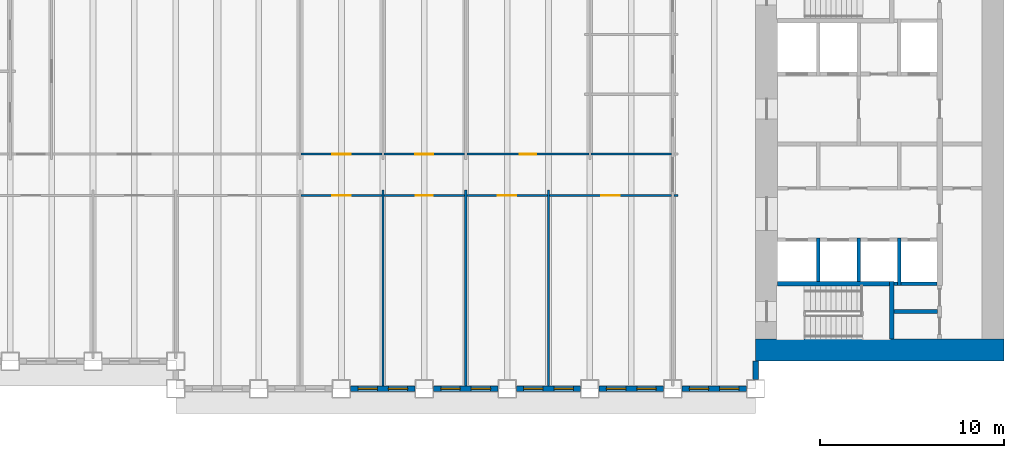
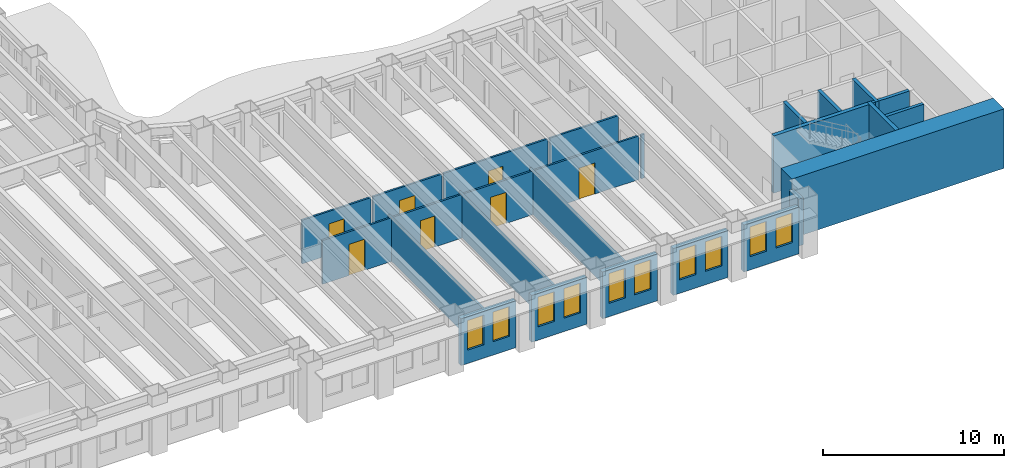
# One storey, part 5 of 16: 27 walls, 10 windows, 7 doors, 17 openings.
"""IFC4 building model written with IfcOpenShell, lengths in metres."""

import ifcopenshell
import ifcopenshell.guid

model = None  # the IFC model being written
_history = None  # IfcOwnerHistory: only IFC2X3 demands one
_inside = {}  # id of a spatial element -> (the spatial element, [elements in it])
_under = {}  # id of a project, library or spatial element -> (it, [spatial elements below it])
_declared = {}  # id of a project -> (the project, [libraries it declares])
_typed = {}  # id of a type object -> (the type object, [elements of that type])
_made_of = {}  # id of a material, layer set ... -> (it, [elements and type objects made of it])


def new_model(schema):
    """Start an empty IFC model of exactly this schema.

    Asked for "IFC4X3", IfcOpenShell would pick the latest addendum, in which some entities
    have other attributes; the version numbers below select the first issue.
    IFC2X3 requires an IfcOwnerHistory on every rooted entity: one is made here for all.
    """
    global model, _history
    if schema == "IFC4X3":
        model = ifcopenshell.file(schema_version=(4, 3, 0, 0))
    else:
        model = ifcopenshell.file(schema=schema)
    _inside.clear()
    _under.clear()
    _declared.clear()
    _typed.clear()
    _made_of.clear()
    _history = None
    if model.schema == "IFC2X3":
        org = make("IfcOrganization", Name="unknown")
        user = make(
            "IfcPersonAndOrganization",
            ThePerson=make("IfcPerson", FamilyName="unknown"),
            TheOrganization=org,
        )
        app = make(
            "IfcApplication",
            ApplicationDeveloper=org,
            Version="unknown",
            ApplicationFullName="unknown",
            ApplicationIdentifier="unknown",
        )
        _history = make(
            "IfcOwnerHistory",
            OwningUser=user,
            OwningApplication=app,
            ChangeAction="ADDED",
            CreationDate=0,
        )
    return model


def make(cls, **values):
    """One entity of the class cls with the attributes given. An attribute that is None is left unset."""
    return model.create_entity(
        cls, **{name: value for name, value in values.items() if value is not None}
    )


def rooted(cls, **values):
    """An entity with a GlobalId (a new one), such as an element, a storey or a relation."""
    return make(cls, GlobalId=ifcopenshell.guid.new(), OwnerHistory=_history, **values)


def si_unit(unit_type, name, prefix=None):
    """IfcSIUnit, for example si_unit("LENGTHUNIT", "METRE", prefix="MILLI")."""
    return make("IfcSIUnit", UnitType=unit_type, Prefix=prefix, Name=name)


def assignment(units):
    """IfcUnitAssignment: the units of a project."""
    return None if units is None else make("IfcUnitAssignment", Units=units)


def point(xyz):
    """IfcCartesianPoint."""
    return None if xyz is None else make("IfcCartesianPoint", Coordinates=xyz)


def direction(xyz):
    """IfcDirection."""
    return None if xyz is None else make("IfcDirection", DirectionRatios=xyz)


def frame(location, z_axis=None, x_axis=None):
    """IfcAxis2Placement3D, a coordinate frame: its origin and axes. An axis left out is left unset."""
    return make(
        "IfcAxis2Placement3D",
        Location=point(location),
        Axis=direction(z_axis),
        RefDirection=direction(x_axis),
    )


def frame_2d(location, x_axis=None):
    """IfcAxis2Placement2D, a coordinate frame in the plane: its origin and x axis."""
    return make(
        "IfcAxis2Placement2D", Location=point(location), RefDirection=direction(x_axis)
    )


def origin():
    """The frame at (0, 0, 0) with its axes left unset."""
    return frame((0.0, 0.0, 0.0))


def place(relative_to, where):
    """IfcLocalPlacement: puts the frame where relative to a parent placement (None: the world)."""
    return make(
        "IfcLocalPlacement", PlacementRelTo=relative_to, RelativePlacement=where
    )


def context(
    kind, dimensions, precision=None, world=None, true_north=None, identifier=None
):
    """IfcGeometricRepresentationContext, for example the 3D "Model" context."""
    return make(
        "IfcGeometricRepresentationContext",
        ContextIdentifier=identifier,
        ContextType=kind,
        CoordinateSpaceDimension=dimensions,
        Precision=precision,
        WorldCoordinateSystem=world,
        TrueNorth=true_north,
    )


def subcontext(parent, identifier, kind, view, scale=None):
    """IfcGeometricRepresentationSubContext, for example "Body" below "Model"."""
    return make(
        "IfcGeometricRepresentationSubContext",
        ContextIdentifier=identifier,
        ContextType=kind,
        ParentContext=parent,
        TargetScale=scale,
        TargetView=view,
    )


def project(units=None, contexts=None):
    """IfcProject with its units and contexts."""
    return rooted(
        "IfcProject",
        Name="project",
        RepresentationContexts=contexts,
        UnitsInContext=assignment(units),
    )


def spatial(cls, under=None, at=None, **own):
    """A site, building, storey or space (cls), placed at a placement, below another one or the project."""
    s = rooted(cls, ObjectPlacement=at, **own)
    if under is not None:
        _under.setdefault(under.id(), (under, []))[1].append(s)
    return s


def profile(cls, at=None, kind="AREA", **sizes):
    """A parametric profile (cls). Its sizes go by their IFC names, for example OverallWidth=200.0."""
    return make(cls, ProfileType=kind, Position=at, **sizes)


def rectangle(**sizes):
    """IfcRectangleProfileDef."""
    return profile("IfcRectangleProfileDef", **sizes)


def extrude(swept, where, along, depth):
    """IfcExtrudedAreaSolid: the profile swept, set in the frame where, extruded along a direction by depth."""
    return make(
        "IfcExtrudedAreaSolid",
        SweptArea=swept,
        Position=where,
        ExtrudedDirection=direction(along),
        Depth=depth,
    )


def shape(context_of_items, identifier, shape_type, items):
    """IfcShapeRepresentation: the items that make up one representation, for example the "Body"."""
    return make(
        "IfcShapeRepresentation",
        ContextOfItems=context_of_items,
        RepresentationIdentifier=identifier,
        RepresentationType=shape_type,
        Items=items,
    )


def material(Name=None, Category=None):
    """IfcMaterial."""
    return make("IfcMaterial", Name=Name, Category=Category)


def layer(
    of_material, thickness, ventilated=None, Name=None, Category=None, Priority=None
):
    """IfcMaterialLayer: one layer of a wall or slab, of a material (None: an air gap)."""
    return make(
        "IfcMaterialLayer",
        Material=of_material,
        LayerThickness=thickness,
        IsVentilated=ventilated,
        Name=Name,
        Category=Category,
        Priority=Priority,
    )


def layer_set(layers, Name=None):
    """IfcMaterialLayerSet."""
    return make("IfcMaterialLayerSet", MaterialLayers=layers, LayerSetName=Name)


def made_of(thing, what):
    """Note that an element or type object is made of a material, layer set ...; save() writes the relation."""
    if what is not None:
        _made_of.setdefault(what.id(), (what, []))[1].append(thing)
    return thing


def type_object(cls, material=None, **own):
    """A type object (cls), such as IfcWallType, which elements share."""
    return made_of(rooted(cls, **own), material)


def element(
    cls,
    number,
    at=None,
    inside=None,
    cuts=None,
    type_object=None,
    material=None,
    context=None,
    identifier="Body",
    shape_type=None,
    held_by="IfcProductDefinitionShape",
    body=None,
    shapes=None,
    **own,
):
    """One element of the class cls, such as IfcWall. Its Tag is "e" and its number.

    at: its placement. inside: the storey or other place that contains it. cuts: it is an
    opening in that element (IfcRelVoidsElement). A single representation is given by context,
    identifier, shape_type and body (its items); several are given by shapes. held_by: the class
    of the entity that holds the representations. save() writes the other relations.
    """
    e = rooted(cls, Tag="e%d" % number, ObjectPlacement=at, **own)
    if body is not None:
        shapes = [shape(context, identifier, shape_type, body)]
    if shapes is not None:
        e.Representation = make(held_by, Representations=shapes)
    if inside is not None:
        _inside.setdefault(inside.id(), (inside, []))[1].append(e)
    if cuts is not None:
        rooted(
            "IfcRelVoidsElement", RelatingBuildingElement=cuts, RelatedOpeningElement=e
        )
    if type_object is not None:
        _typed.setdefault(type_object.id(), (type_object, []))[1].append(e)
    return made_of(e, material)


def fill(opening, filler):
    """IfcRelFillsElement: the door or window that sits in an opening."""
    return rooted(
        "IfcRelFillsElement",
        RelatingOpeningElement=opening,
        RelatedBuildingElement=filler,
    )


def aggregate(whole, parts):
    """IfcRelAggregates: a whole, such as a stair, and the parts it consists of."""
    return rooted("IfcRelAggregates", RelatingObject=whole, RelatedObjects=parts)


def save(model, path):
    """Write the relations noted so far, then the file.

    IfcRelAggregates (storeys below a building ...), IfcRelContainedInSpatialStructure (elements
    in a storey), IfcRelDefinesByType, IfcRelAssociatesMaterial and IfcRelDeclares: one each for
    every whole, place, type object, material and project.
    """
    for whole, parts in _under.values():
        aggregate(whole, parts)
    for where, things in _inside.values():
        rooted(
            "IfcRelContainedInSpatialStructure",
            RelatedElements=things,
            RelatingStructure=where,
        )
    for kind, things in _typed.values():
        rooted("IfcRelDefinesByType", RelatedObjects=things, RelatingType=kind)
    for what, things in _made_of.values():
        rooted("IfcRelAssociatesMaterial", RelatedObjects=things, RelatingMaterial=what)
    for by, libraries in _declared.values():
        rooted("IfcRelDeclares", RelatingContext=by, RelatedDefinitions=libraries)
    model.write(path)


model = new_model("IFC4")

# Units and contexts
model_context = context("Model", 3, precision=1e-05, world=origin(), true_north=direction((0.0, 1.0)))
body_context = subcontext(model_context, "Body", "Model", "MODEL_VIEW")
ifc_project = project(units=[si_unit("LENGTHUNIT", "METRE"), si_unit("AREAUNIT", "SQUARE_METRE"), si_unit("VOLUMEUNIT", "CUBIC_METRE"), si_unit("PLANEANGLEUNIT", "RADIAN"), si_unit("MASSUNIT", "GRAM", prefix="KILO")], contexts=[model_context])

# Site, building, storey
site_placement = place(None, origin())
site = spatial("IfcSite", under=ifc_project, at=site_placement, CompositionType="ELEMENT")
building_placement = place(site_placement, origin())
building = spatial("IfcBuilding", under=site, at=building_placement, Name="Sennacour Bend Tower", CompositionType="ELEMENT")
storey_placement = place(building_placement, frame((0.0, 0.0, 95.0)))
storey = spatial("IfcBuildingStorey", under=building, at=storey_placement, Name="L21", CompositionType="ELEMENT", Elevation=95.0)

# Walls
ifc_material_1 = material(Name="Concrete C80/95", Category="concrete")
ifc_layer_1 = layer(ifc_material_1, 1.199951171875, Name="Concrete C80/95", Category="concrete")
ifc_layer_set_1 = layer_set([ifc_layer_1], Name="Concrete C80/95")
wall_type_1 = type_object("IfcWallType", Name="Core wall 1200 C80/95", PredefinedType="SHEAR", material=ifc_layer_set_1)
wall_1_placement = place(storey_placement, frame((67.5, 0.60009765625, -0.14990234375), z_axis=(0.0, 0.0, 1.0), x_axis=(-1.0, 0.0, 0.0)))
element("IfcWall", 1, at=wall_1_placement, inside=storey, type_object=wall_type_1, Name="Core A wall L21 S", PredefinedType="SHEAR", context=body_context, shape_type="SweptSolid", body=[
    extrude(rectangle(XDim=13.5, YDim=1.199951171875, at=frame_2d((6.75, 0.0))), origin(), (0.0, 0.0, 1.0), 4.0),
])
ifc_material_2 = material(Name="Plasterboard partition on steel studs", Category="steel")
ifc_layer_2 = layer(ifc_material_2, 0.1201171875, Name="Plasterboard partition on steel studs", Category="steel")
ifc_layer_set_2 = layer_set([ifc_layer_2], Name="Plasterboard partition on steel studs")
wall_type_2 = type_object("IfcWallType", Name="Partition 120", PredefinedType="PARTITIONING", material=ifc_layer_set_2)
for number, where, z_axis, x_axis, name in (
    (2, (33.75, -1.35009765625, 0.0), (0.0, 0.0, 1.0), (0.0, 1.0, 0.0), "P-L21-W027a"),
    (3, (38.25, -1.35009765625, 0.0), (0.0, 0.0, 1.0), (0.0, 1.0, 0.0), "P-L21-W029a"),
    (4, (42.75, -1.35009765625, 0.0), (0.0, 0.0, 1.0), (0.0, 1.0, 0.0), "P-L21-W031a"),
):
    element("IfcWall", number, at=place(storey_placement, frame(where, z_axis=z_axis, x_axis=x_axis)), inside=storey, type_object=wall_type_2, Name=name, PredefinedType="PARTITIONING", context=body_context, shape_type="SweptSolid", body=[
        extrude(rectangle(XDim=10.650146484375, YDim=0.1201171875, at=frame_2d((5.3251953125, 0.0))), origin(), (0.0, 0.0, 1.0), 2.93798828125),
    ])

# Wall, opening, door
wall_2_placement = place(storey_placement, frame((29.31005859375, 9.0, 0.0), z_axis=(0.0, 0.0, 1.0), x_axis=(1.0, 0.0, 0.0)))
wall_2 = element("IfcWall", 5, at=wall_2_placement, inside=storey, type_object=wall_type_2, Name="P-L21-W058ae", PredefinedType="PARTITIONING", context=body_context, shape_type="SweptSolid", body=[
    extrude(rectangle(XDim=4.3798828125, YDim=0.1201171875, at=frame_2d((2.18994140625, 0.0))), origin(), (0.0, 0.0, 1.0), 2.93798828125),
])
opening_1_placement = place(wall_2_placement, frame((1.68994140625, 0.0, 0.0)))
opening_1 = element("IfcOpeningElement", 6, at=opening_1_placement, cuts=wall_2, Name="Opening MD2", PredefinedType="OPENING", context=body_context, shape_type="SweptSolid", body=[
    extrude(rectangle(XDim=1.0, YDim=2.10009765625, at=frame_2d((0.5, 1.050048828125))), frame((0.0, 0.070068359375, 0.0), z_axis=(0.0, -1.0, 0.0), x_axis=(1.0, 0.0, 0.0)), (0.0, 0.0, 1.0), 0.14013671875),
])
ifc_material_3 = material(Name="Timber", Category="wood")
door_type_1 = type_object("IfcDoorType", Name="DR-MEETING-1000", OperationType="NOTDEFINED", PredefinedType="DOOR", material=ifc_material_3)
door_1_placement = place(opening_1_placement, origin())
door_1 = element("IfcDoor", 7, at=door_1_placement, inside=storey, type_object=door_type_1, Name="Door", OperationType="SINGLE_SWING_LEFT", OverallHeight=2.10009765625, OverallWidth=1.0, PredefinedType="DOOR", context=body_context, shape_type="SweptSolid", body=[
    extrude(rectangle(XDim=1.0, YDim=2.10009765625, at=frame_2d((0.5, 1.050048828125))), frame((0.0, 0.02490234375, 0.0), z_axis=(0.0, -1.0, 0.0), x_axis=(1.0, 0.0, 0.0)), (0.0, 0.0, 1.0), 0.050048828125),
])
fill(opening_1, door_1)

wall_3_placement = place(storey_placement, frame((38.31005859375, 9.0, 0.0), z_axis=(0.0, 0.0, 1.0), x_axis=(1.0, 0.0, 0.0)))
wall_3 = element("IfcWall", 8, at=wall_3_placement, inside=storey, type_object=wall_type_2, Name="P-L21-W058ag", PredefinedType="PARTITIONING", context=body_context, shape_type="SweptSolid", body=[
    extrude(rectangle(XDim=4.3798828125, YDim=0.1201171875, at=frame_2d((2.18994140625, 0.0))), origin(), (0.0, 0.0, 1.0), 2.93798828125),
])
opening_2_placement = place(wall_3_placement, frame((1.68994140625, 0.0, 0.0)))
opening_2 = element("IfcOpeningElement", 9, at=opening_2_placement, cuts=wall_3, Name="Opening OD2", PredefinedType="OPENING", context=body_context, shape_type="SweptSolid", body=[
    extrude(rectangle(XDim=1.0, YDim=2.10009765625, at=frame_2d((0.5, 1.050048828125))), frame((0.0, 0.070068359375, 0.0), z_axis=(0.0, -1.0, 0.0), x_axis=(1.0, 0.0, 0.0)), (0.0, 0.0, 1.0), 0.14013671875),
])
door_type_2 = type_object("IfcDoorType", Name="DR-OFFICE-1000", OperationType="NOTDEFINED", PredefinedType="DOOR", material=ifc_material_3)
door_2_placement = place(opening_2_placement, origin())
door_2 = element("IfcDoor", 10, at=door_2_placement, inside=storey, type_object=door_type_2, Name="Door", OperationType="SINGLE_SWING_LEFT", OverallHeight=2.10009765625, OverallWidth=1.0, PredefinedType="DOOR", context=body_context, shape_type="SweptSolid", body=[
    extrude(rectangle(XDim=1.0, YDim=2.10009765625, at=frame_2d((0.5, 1.050048828125))), frame((0.0, 0.02490234375, 0.0), z_axis=(0.0, -1.0, 0.0), x_axis=(1.0, 0.0, 0.0)), (0.0, 0.0, 1.0), 0.050048828125),
])
fill(opening_2, door_2)

wall_4_placement = place(storey_placement, frame((42.81005859375, 9.0, 0.0), z_axis=(0.0, 0.0, 1.0), x_axis=(1.0, 0.0, 0.0)))
wall_4 = element("IfcWall", 11, at=wall_4_placement, inside=storey, type_object=wall_type_2, Name="P-L21-W058ah", PredefinedType="PARTITIONING", context=body_context, shape_type="SweptSolid", body=[
    extrude(rectangle(XDim=6.6298828125, YDim=0.1201171875, at=frame_2d((3.31494140625, 0.0))), origin(), (0.0, 0.0, 1.0), 2.93798828125),
])
opening_3_placement = place(wall_4_placement, frame((2.81494140625, 0.0, 0.0)))
opening_3 = element("IfcOpeningElement", 12, at=opening_3_placement, cuts=wall_4, Name="Opening OD2", PredefinedType="OPENING", context=body_context, shape_type="SweptSolid", body=[
    extrude(rectangle(XDim=1.0, YDim=2.10009765625, at=frame_2d((0.5, 1.050048828125))), frame((0.0, 0.070068359375, 0.0), z_axis=(0.0, -1.0, 0.0), x_axis=(1.0, 0.0, 0.0)), (0.0, 0.0, 1.0), 0.14013671875),
])
door_3_placement = place(opening_3_placement, origin())
door_3 = element("IfcDoor", 13, at=door_3_placement, inside=storey, type_object=door_type_2, Name="Door", OperationType="SINGLE_SWING_LEFT", OverallHeight=2.10009765625, OverallWidth=1.0, PredefinedType="DOOR", context=body_context, shape_type="SweptSolid", body=[
    extrude(rectangle(XDim=1.0, YDim=2.10009765625, at=frame_2d((0.5, 1.050048828125))), frame((0.0, 0.02490234375, 0.0), z_axis=(0.0, -1.0, 0.0), x_axis=(1.0, 0.0, 0.0)), (0.0, 0.0, 1.0), 0.050048828125),
])
fill(opening_3, door_3)

# Wall
wall_5_placement = place(storey_placement, frame((49.56005859375, 9.0, 0.0), z_axis=(0.0, 0.0, 1.0), x_axis=(1.0, 0.0, 0.0)))
element("IfcWall", 14, at=wall_5_placement, inside=storey, type_object=wall_type_2, Name="P-L21-W058ai", PredefinedType="PARTITIONING", context=body_context, shape_type="SweptSolid", body=[
    extrude(rectangle(XDim=0.239990234375, YDim=0.1201171875, at=frame_2d((0.1201171875, 0.0))), origin(), (0.0, 0.0, 1.0), 2.93798828125),
])

# Wall, opening, door
wall_6_placement = place(storey_placement, frame((29.31005859375, 11.25, 0.0), z_axis=(0.0, 0.0, 1.0), x_axis=(1.0, 0.0, 0.0)))
wall_6 = element("IfcWall", 15, at=wall_6_placement, inside=storey, type_object=wall_type_2, Name="P-L21-W060ad", PredefinedType="PARTITIONING", context=body_context, shape_type="SweptSolid", body=[
    extrude(rectangle(XDim=4.3798828125, YDim=0.1201171875, at=frame_2d((2.18994140625, 0.0))), origin(), (0.0, 0.0, 1.0), 2.93798828125),
])
opening_4_placement = place(wall_6_placement, frame((1.68994140625, 0.0, 0.0)))
opening_4 = element("IfcOpeningElement", 16, at=opening_4_placement, cuts=wall_6, Name="Opening OD2", PredefinedType="OPENING", context=body_context, shape_type="SweptSolid", body=[
    extrude(rectangle(XDim=1.0, YDim=2.10009765625, at=frame_2d((0.5, 1.050048828125))), frame((0.0, 0.070068359375, 0.0), z_axis=(0.0, -1.0, 0.0), x_axis=(1.0, 0.0, 0.0)), (0.0, 0.0, 1.0), 0.14013671875),
])
door_4_placement = place(opening_4_placement, origin())
door_4 = element("IfcDoor", 17, at=door_4_placement, inside=storey, type_object=door_type_2, Name="Door", OperationType="SINGLE_SWING_LEFT", OverallHeight=2.10009765625, OverallWidth=1.0, PredefinedType="DOOR", context=body_context, shape_type="SweptSolid", body=[
    extrude(rectangle(XDim=1.0, YDim=2.10009765625, at=frame_2d((0.5, 1.050048828125))), frame((0.0, 0.02490234375, 0.0), z_axis=(0.0, -1.0, 0.0), x_axis=(1.0, 0.0, 0.0)), (0.0, 0.0, 1.0), 0.050048828125),
])
fill(opening_4, door_4)

wall_7_placement = place(storey_placement, frame((33.81005859375, 11.25, 0.0), z_axis=(0.0, 0.0, 1.0), x_axis=(1.0, 0.0, 0.0)))
wall_7 = element("IfcWall", 18, at=wall_7_placement, inside=storey, type_object=wall_type_2, Name="P-L21-W060ae", PredefinedType="PARTITIONING", context=body_context, shape_type="SweptSolid", body=[
    extrude(rectangle(XDim=4.3798828125, YDim=0.1201171875, at=frame_2d((2.18994140625, 0.0))), origin(), (0.0, 0.0, 1.0), 2.93798828125),
])
opening_5_placement = place(wall_7_placement, frame((1.68994140625, 0.0, 0.0)))
opening_5 = element("IfcOpeningElement", 19, at=opening_5_placement, cuts=wall_7, Name="Opening OD2", PredefinedType="OPENING", context=body_context, shape_type="SweptSolid", body=[
    extrude(rectangle(XDim=1.0, YDim=2.10009765625, at=frame_2d((0.5, 1.050048828125))), frame((0.0, 0.070068359375, 0.0), z_axis=(0.0, -1.0, 0.0), x_axis=(1.0, 0.0, 0.0)), (0.0, 0.0, 1.0), 0.14013671875),
])
door_5_placement = place(opening_5_placement, origin())
door_5 = element("IfcDoor", 20, at=door_5_placement, inside=storey, type_object=door_type_2, Name="Door", OperationType="SINGLE_SWING_LEFT", OverallHeight=2.10009765625, OverallWidth=1.0, PredefinedType="DOOR", context=body_context, shape_type="SweptSolid", body=[
    extrude(rectangle(XDim=1.0, YDim=2.10009765625, at=frame_2d((0.5, 1.050048828125))), frame((0.0, 0.02490234375, 0.0), z_axis=(0.0, -1.0, 0.0), x_axis=(1.0, 0.0, 0.0)), (0.0, 0.0, 1.0), 0.050048828125),
])
fill(opening_5, door_5)

# Wall
wall_8_placement = place(storey_placement, frame((45.06005859375, 11.25, 0.0), z_axis=(0.0, 0.0, 1.0), x_axis=(1.0, 0.0, 0.0)))
element("IfcWall", 21, at=wall_8_placement, inside=storey, type_object=wall_type_2, Name="P-L21-W060ag", PredefinedType="PARTITIONING", context=body_context, shape_type="SweptSolid", body=[
    extrude(rectangle(XDim=4.3798828125, YDim=0.1201171875, at=frame_2d((2.18994140625, 0.0))), origin(), (0.0, 0.0, 1.0), 2.93798828125),
])

# Wall, opening, door
ifc_layer_3 = layer(ifc_material_2, 0.1201171875, Name="Plasterboard partition on steel studs", Category="steel")
ifc_layer_set_3 = layer_set([ifc_layer_3], Name="Plasterboard partition on steel studs")
wall_type_3 = type_object("IfcWallType", Name="Partition 120 EI 60", PredefinedType="PARTITIONING", material=ifc_layer_set_3)
wall_9_placement = place(storey_placement, frame((33.81005859375, 9.0, 0.0), z_axis=(0.0, 0.0, 1.0), x_axis=(1.0, 0.0, 0.0)))
wall_9 = element("IfcWall", 22, at=wall_9_placement, inside=storey, type_object=wall_type_3, Name="P-L21-W058af", PredefinedType="PARTITIONING", context=body_context, shape_type="SweptSolid", body=[
    extrude(rectangle(XDim=4.3798828125, YDim=0.1201171875, at=frame_2d((2.18994140625, 0.0))), origin(), (0.0, 0.0, 1.0), 2.93798828125),
])
opening_6_placement = place(wall_9_placement, frame((1.739990234375, 0.0, 0.0)))
opening_6 = element("IfcOpeningElement", 23, at=opening_6_placement, cuts=wall_9, Name="Opening SV", PredefinedType="OPENING", context=body_context, shape_type="SweptSolid", body=[
    extrude(rectangle(XDim=0.89990234375, YDim=2.10009765625, at=frame_2d((0.449951171875, 1.050048828125))), frame((0.0, 0.070068359375, 0.0), z_axis=(0.0, -1.0, 0.0), x_axis=(1.0, 0.0, 0.0)), (0.0, 0.0, 1.0), 0.14013671875),
])
ifc_material_4 = material(Name="Painted steel", Category="steel")
door_type_3 = type_object("IfcDoorType", Name="DR-SERVICE-900", OperationType="NOTDEFINED", PredefinedType="DOOR", material=ifc_material_4)
door_6_placement = place(opening_6_placement, origin())
door_6 = element("IfcDoor", 24, at=door_6_placement, inside=storey, type_object=door_type_3, Name="Door", OperationType="SINGLE_SWING_LEFT", OverallHeight=2.10009765625, OverallWidth=0.89990234375, PredefinedType="DOOR", context=body_context, shape_type="SweptSolid", body=[
    extrude(rectangle(XDim=0.89990234375, YDim=2.10009765625, at=frame_2d((0.449951171875, 1.050048828125))), frame((0.0, 0.02490234375, 0.0), z_axis=(0.0, -1.0, 0.0), x_axis=(1.0, 0.0, 0.0)), (0.0, 0.0, 1.0), 0.050048828125),
])
fill(opening_6, door_6)

wall_10_placement = place(storey_placement, frame((38.31005859375, 11.25, 0.0), z_axis=(0.0, 0.0, 1.0), x_axis=(1.0, 0.0, 0.0)))
wall_10 = element("IfcWall", 25, at=wall_10_placement, inside=storey, type_object=wall_type_3, Name="P-L21-W060af", PredefinedType="PARTITIONING", context=body_context, shape_type="SweptSolid", body=[
    extrude(rectangle(XDim=6.6298828125, YDim=0.1201171875, at=frame_2d((3.31494140625, 0.0))), origin(), (0.0, 0.0, 1.0), 2.93798828125),
])
opening_7_placement = place(wall_10_placement, frame((2.864990234375, 0.0, 0.0)))
opening_7 = element("IfcOpeningElement", 26, at=opening_7_placement, cuts=wall_10, Name="Opening SV", PredefinedType="OPENING", context=body_context, shape_type="SweptSolid", body=[
    extrude(rectangle(XDim=0.89990234375, YDim=2.10009765625, at=frame_2d((0.449951171875, 1.050048828125))), frame((0.0, 0.070068359375, 0.0), z_axis=(0.0, -1.0, 0.0), x_axis=(1.0, 0.0, 0.0)), (0.0, 0.0, 1.0), 0.14013671875),
])
door_7_placement = place(opening_7_placement, origin())
door_7 = element("IfcDoor", 27, at=door_7_placement, inside=storey, type_object=door_type_3, Name="Door", OperationType="SINGLE_SWING_LEFT", OverallHeight=2.10009765625, OverallWidth=0.89990234375, PredefinedType="DOOR", context=body_context, shape_type="SweptSolid", body=[
    extrude(rectangle(XDim=0.89990234375, YDim=2.10009765625, at=frame_2d((0.449951171875, 1.050048828125))), frame((0.0, 0.02490234375, 0.0), z_axis=(0.0, -1.0, 0.0), x_axis=(1.0, 0.0, 0.0)), (0.0, 0.0, 1.0), 0.050048828125),
])
fill(opening_7, door_7)

# Wall
ifc_material_5 = material(Name="Fire-rated plasterboard partition on steel studs", Category="steel")
ifc_layer_4 = layer(ifc_material_5, 0.199951171875, Name="Fire-rated plasterboard partition on steel studs", Category="steel")
ifc_layer_set_4 = layer_set([ifc_layer_4], Name="Fire-rated plasterboard partition on steel studs")
wall_type_4 = type_object("IfcWallType", Name="Rated partition 200", PredefinedType="PARTITIONING", material=ifc_layer_set_4)
wall_11_placement = place(storey_placement, frame((61.52490234375, 2.699951171875, 0.0), z_axis=(0.0, 0.0, 1.0), x_axis=(1.0, 0.0, 0.0)))
element("IfcWall", 28, at=wall_11_placement, inside=storey, type_object=wall_type_4, Name="P-L21-W051", PredefinedType="PARTITIONING", context=body_context, shape_type="SweptSolid", body=[
    extrude(rectangle(XDim=2.375, YDim=0.199951171875, at=frame_2d((1.1875, 0.0))), origin(), (0.0, 0.0, 1.0), 3.85009765625),
])

# Wall, openings, windows
ifc_material_6 = material(Name="Warm limestone cladding", Category="masonry")
ifc_layer_5 = layer(ifc_material_6, 0.050048828125, Name="Warm limestone cladding", Category="masonry")
ifc_material_7 = material(Name="Precast concrete C40/50", Category="concrete")
ifc_layer_6 = layer(ifc_material_7, 0.25, Name="Precast concrete C40/50", Category="concrete")
ifc_layer_set_5 = layer_set([ifc_layer_5, ifc_layer_6], Name="Precast concrete C40/50 with limestone cladding")
wall_type_5 = type_object("IfcWallType", Name="STONE-CLAD PRECAST SPANDREL 300", PredefinedType="STANDARD", material=ifc_layer_set_5)
wall_12_placement = place(storey_placement, frame((32.0, -1.5, 0.0), z_axis=(0.0, 0.0, 1.0), x_axis=(1.0, 0.0, 0.0)))
wall_12 = element("IfcWall", 29, at=wall_12_placement, inside=storey, type_object=wall_type_5, Name="Stone spandrel and pier wall L21 00.02", PredefinedType="STANDARD", context=body_context, shape_type="SweptSolid", body=[
    extrude(rectangle(XDim=3.5, YDim=0.300048828125, at=frame_2d((1.75, 0.0))), origin(), (0.0, 0.0, 1.0), 3.154052734375),
])
opening_8_placement = place(wall_12_placement, frame((0.39990234375, 0.0, 0.89990234375)))
opening_8 = element("IfcOpeningElement", 30, at=opening_8_placement, cuts=wall_12, Name="Opening W13", PredefinedType="OPENING", context=body_context, shape_type="SweptSolid", body=[
    extrude(rectangle(XDim=1.050048828125, YDim=2.0, at=frame_2d((0.52490234375, 1.0))), frame((0.0, 0.16015625, 0.0), z_axis=(0.0, -1.0, 0.0), x_axis=(1.0, 0.0, 0.0)), (0.0, 0.0, 1.0), 0.320068359375),
])
opening_9_placement = place(wall_12_placement, frame((2.050048828125, 0.0, 0.89990234375)))
opening_9 = element("IfcOpeningElement", 31, at=opening_9_placement, cuts=wall_12, Name="Opening W13", PredefinedType="OPENING", context=body_context, shape_type="SweptSolid", body=[
    extrude(rectangle(XDim=1.050048828125, YDim=2.0, at=frame_2d((0.52490234375, 1.0))), frame((0.0, 0.16015625, 0.0), z_axis=(0.0, -1.0, 0.0), x_axis=(1.0, 0.0, 0.0)), (0.0, 0.0, 1.0), 0.320068359375),
])
ifc_material_8 = material(Name="Clear low-emissivity glass", Category="glass")
window_type = type_object("IfcWindowType", Name="WIN-RIBBON-1050x2000", PartitioningType="SINGLE_PANEL", PredefinedType="WINDOW", material=ifc_material_8)
window_1_placement = place(opening_8_placement, origin())
window_1 = element("IfcWindow", 32, at=window_1_placement, inside=storey, type_object=window_type, Name="Ribbon window L21 00.02.0", OverallHeight=2.0, OverallWidth=1.050048828125, PartitioningType="SINGLE_PANEL", PredefinedType="WINDOW", context=body_context, shape_type="SweptSolid", body=[
    extrude(rectangle(XDim=1.050048828125, YDim=2.0, at=frame_2d((0.52490234375, 1.0))), frame((0.0, 0.030029296875, 0.0), z_axis=(0.0, -1.0, 0.0), x_axis=(1.0, 0.0, 0.0)), (0.0, 0.0, 1.0), 0.06005859375),
])
fill(opening_8, window_1)
window_2_placement = place(opening_9_placement, origin())
window_2 = element("IfcWindow", 33, at=window_2_placement, inside=storey, type_object=window_type, Name="Ribbon window L21 00.02.1", OverallHeight=2.0, OverallWidth=1.050048828125, PartitioningType="SINGLE_PANEL", PredefinedType="WINDOW", context=body_context, shape_type="SweptSolid", body=[
    extrude(rectangle(XDim=1.050048828125, YDim=2.0, at=frame_2d((0.52490234375, 1.0))), frame((0.0, 0.030029296875, 0.0), z_axis=(0.0, -1.0, 0.0), x_axis=(1.0, 0.0, 0.0)), (0.0, 0.0, 1.0), 0.06005859375),
])
fill(opening_9, window_2)

wall_13_placement = place(storey_placement, frame((36.5, -1.5, 0.0), z_axis=(0.0, 0.0, 1.0), x_axis=(1.0, 0.0, 0.0)))
wall_13 = element("IfcWall", 34, at=wall_13_placement, inside=storey, type_object=wall_type_5, Name="Stone spandrel and pier wall L21 00.03", PredefinedType="STANDARD", context=body_context, shape_type="SweptSolid", body=[
    extrude(rectangle(XDim=3.5, YDim=0.300048828125, at=frame_2d((1.75, 0.0))), origin(), (0.0, 0.0, 1.0), 3.154052734375),
])
opening_10_placement = place(wall_13_placement, frame((0.39990234375, 0.0, 0.89990234375)))
opening_10 = element("IfcOpeningElement", 35, at=opening_10_placement, cuts=wall_13, Name="Opening W13", PredefinedType="OPENING", context=body_context, shape_type="SweptSolid", body=[
    extrude(rectangle(XDim=1.050048828125, YDim=2.0, at=frame_2d((0.52490234375, 1.0))), frame((0.0, 0.16015625, 0.0), z_axis=(0.0, -1.0, 0.0), x_axis=(1.0, 0.0, 0.0)), (0.0, 0.0, 1.0), 0.320068359375),
])
opening_11_placement = place(wall_13_placement, frame((2.050048828125, 0.0, 0.89990234375)))
opening_11 = element("IfcOpeningElement", 36, at=opening_11_placement, cuts=wall_13, Name="Opening W13", PredefinedType="OPENING", context=body_context, shape_type="SweptSolid", body=[
    extrude(rectangle(XDim=1.050048828125, YDim=2.0, at=frame_2d((0.52490234375, 1.0))), frame((0.0, 0.16015625, 0.0), z_axis=(0.0, -1.0, 0.0), x_axis=(1.0, 0.0, 0.0)), (0.0, 0.0, 1.0), 0.320068359375),
])
window_3_placement = place(opening_10_placement, origin())
window_3 = element("IfcWindow", 37, at=window_3_placement, inside=storey, type_object=window_type, Name="Ribbon window L21 00.03.0", OverallHeight=2.0, OverallWidth=1.050048828125, PartitioningType="SINGLE_PANEL", PredefinedType="WINDOW", context=body_context, shape_type="SweptSolid", body=[
    extrude(rectangle(XDim=1.050048828125, YDim=2.0, at=frame_2d((0.52490234375, 1.0))), frame((0.0, 0.030029296875, 0.0), z_axis=(0.0, -1.0, 0.0), x_axis=(1.0, 0.0, 0.0)), (0.0, 0.0, 1.0), 0.06005859375),
])
fill(opening_10, window_3)
window_4_placement = place(opening_11_placement, origin())
window_4 = element("IfcWindow", 38, at=window_4_placement, inside=storey, type_object=window_type, Name="Ribbon window L21 00.03.1", OverallHeight=2.0, OverallWidth=1.050048828125, PartitioningType="SINGLE_PANEL", PredefinedType="WINDOW", context=body_context, shape_type="SweptSolid", body=[
    extrude(rectangle(XDim=1.050048828125, YDim=2.0, at=frame_2d((0.52490234375, 1.0))), frame((0.0, 0.030029296875, 0.0), z_axis=(0.0, -1.0, 0.0), x_axis=(1.0, 0.0, 0.0)), (0.0, 0.0, 1.0), 0.06005859375),
])
fill(opening_11, window_4)

wall_14_placement = place(storey_placement, frame((41.0, -1.5, 0.0), z_axis=(0.0, 0.0, 1.0), x_axis=(1.0, 0.0, 0.0)))
wall_14 = element("IfcWall", 39, at=wall_14_placement, inside=storey, type_object=wall_type_5, Name="Stone spandrel and pier wall L21 00.04", PredefinedType="STANDARD", context=body_context, shape_type="SweptSolid", body=[
    extrude(rectangle(XDim=3.5, YDim=0.300048828125, at=frame_2d((1.75, 0.0))), origin(), (0.0, 0.0, 1.0), 3.154052734375),
])
opening_12_placement = place(wall_14_placement, frame((0.39990234375, 0.0, 0.89990234375)))
opening_12 = element("IfcOpeningElement", 40, at=opening_12_placement, cuts=wall_14, Name="Opening W13", PredefinedType="OPENING", context=body_context, shape_type="SweptSolid", body=[
    extrude(rectangle(XDim=1.050048828125, YDim=2.0, at=frame_2d((0.52490234375, 1.0))), frame((0.0, 0.16015625, 0.0), z_axis=(0.0, -1.0, 0.0), x_axis=(1.0, 0.0, 0.0)), (0.0, 0.0, 1.0), 0.320068359375),
])
opening_13_placement = place(wall_14_placement, frame((2.050048828125, 0.0, 0.89990234375)))
opening_13 = element("IfcOpeningElement", 41, at=opening_13_placement, cuts=wall_14, Name="Opening W13", PredefinedType="OPENING", context=body_context, shape_type="SweptSolid", body=[
    extrude(rectangle(XDim=1.050048828125, YDim=2.0, at=frame_2d((0.52490234375, 1.0))), frame((0.0, 0.16015625, 0.0), z_axis=(0.0, -1.0, 0.0), x_axis=(1.0, 0.0, 0.0)), (0.0, 0.0, 1.0), 0.320068359375),
])
window_5_placement = place(opening_12_placement, origin())
window_5 = element("IfcWindow", 42, at=window_5_placement, inside=storey, type_object=window_type, Name="Ribbon window L21 00.04.0", OverallHeight=2.0, OverallWidth=1.050048828125, PartitioningType="SINGLE_PANEL", PredefinedType="WINDOW", context=body_context, shape_type="SweptSolid", body=[
    extrude(rectangle(XDim=1.050048828125, YDim=2.0, at=frame_2d((0.52490234375, 1.0))), frame((0.0, 0.030029296875, 0.0), z_axis=(0.0, -1.0, 0.0), x_axis=(1.0, 0.0, 0.0)), (0.0, 0.0, 1.0), 0.06005859375),
])
fill(opening_12, window_5)
window_6_placement = place(opening_13_placement, origin())
window_6 = element("IfcWindow", 43, at=window_6_placement, inside=storey, type_object=window_type, Name="Ribbon window L21 00.04.1", OverallHeight=2.0, OverallWidth=1.050048828125, PartitioningType="SINGLE_PANEL", PredefinedType="WINDOW", context=body_context, shape_type="SweptSolid", body=[
    extrude(rectangle(XDim=1.050048828125, YDim=2.0, at=frame_2d((0.52490234375, 1.0))), frame((0.0, 0.030029296875, 0.0), z_axis=(0.0, -1.0, 0.0), x_axis=(1.0, 0.0, 0.0)), (0.0, 0.0, 1.0), 0.06005859375),
])
fill(opening_13, window_6)

wall_15_placement = place(storey_placement, frame((45.5, -1.5, 0.0), z_axis=(0.0, 0.0, 1.0), x_axis=(1.0, 0.0, 0.0)))
wall_15 = element("IfcWall", 44, at=wall_15_placement, inside=storey, type_object=wall_type_5, Name="Stone spandrel and pier wall L21 00.05", PredefinedType="STANDARD", context=body_context, shape_type="SweptSolid", body=[
    extrude(rectangle(XDim=3.5, YDim=0.300048828125, at=frame_2d((1.75, 0.0))), origin(), (0.0, 0.0, 1.0), 3.154052734375),
])
opening_14_placement = place(wall_15_placement, frame((0.39990234375, 0.0, 0.89990234375)))
opening_14 = element("IfcOpeningElement", 45, at=opening_14_placement, cuts=wall_15, Name="Opening W13", PredefinedType="OPENING", context=body_context, shape_type="SweptSolid", body=[
    extrude(rectangle(XDim=1.050048828125, YDim=2.0, at=frame_2d((0.52490234375, 1.0))), frame((0.0, 0.16015625, 0.0), z_axis=(0.0, -1.0, 0.0), x_axis=(1.0, 0.0, 0.0)), (0.0, 0.0, 1.0), 0.320068359375),
])
opening_15_placement = place(wall_15_placement, frame((2.050048828125, 0.0, 0.89990234375)))
opening_15 = element("IfcOpeningElement", 46, at=opening_15_placement, cuts=wall_15, Name="Opening W13", PredefinedType="OPENING", context=body_context, shape_type="SweptSolid", body=[
    extrude(rectangle(XDim=1.050048828125, YDim=2.0, at=frame_2d((0.52490234375, 1.0))), frame((0.0, 0.16015625, 0.0), z_axis=(0.0, -1.0, 0.0), x_axis=(1.0, 0.0, 0.0)), (0.0, 0.0, 1.0), 0.320068359375),
])
window_7_placement = place(opening_14_placement, origin())
window_7 = element("IfcWindow", 47, at=window_7_placement, inside=storey, type_object=window_type, Name="Ribbon window L21 00.05.0", OverallHeight=2.0, OverallWidth=1.050048828125, PartitioningType="SINGLE_PANEL", PredefinedType="WINDOW", context=body_context, shape_type="SweptSolid", body=[
    extrude(rectangle(XDim=1.050048828125, YDim=2.0, at=frame_2d((0.52490234375, 1.0))), frame((0.0, 0.030029296875, 0.0), z_axis=(0.0, -1.0, 0.0), x_axis=(1.0, 0.0, 0.0)), (0.0, 0.0, 1.0), 0.06005859375),
])
fill(opening_14, window_7)
window_8_placement = place(opening_15_placement, origin())
window_8 = element("IfcWindow", 48, at=window_8_placement, inside=storey, type_object=window_type, Name="Ribbon window L21 00.05.1", OverallHeight=2.0, OverallWidth=1.050048828125, PartitioningType="SINGLE_PANEL", PredefinedType="WINDOW", context=body_context, shape_type="SweptSolid", body=[
    extrude(rectangle(XDim=1.050048828125, YDim=2.0, at=frame_2d((0.52490234375, 1.0))), frame((0.0, 0.030029296875, 0.0), z_axis=(0.0, -1.0, 0.0), x_axis=(1.0, 0.0, 0.0)), (0.0, 0.0, 1.0), 0.06005859375),
])
fill(opening_15, window_8)

wall_16_placement = place(storey_placement, frame((50.0, -1.5, 0.0), z_axis=(0.0, 0.0, 1.0), x_axis=(1.0, 0.0, 0.0)))
wall_16 = element("IfcWall", 49, at=wall_16_placement, inside=storey, type_object=wall_type_5, Name="Stone spandrel and pier wall L21 00.06", PredefinedType="STANDARD", context=body_context, shape_type="SweptSolid", body=[
    extrude(rectangle(XDim=3.5, YDim=0.300048828125, at=frame_2d((1.75, 0.0))), origin(), (0.0, 0.0, 1.0), 3.154052734375),
])
opening_16_placement = place(wall_16_placement, frame((0.39990234375, 0.0, 0.89990234375)))
opening_16 = element("IfcOpeningElement", 50, at=opening_16_placement, cuts=wall_16, Name="Opening W13", PredefinedType="OPENING", context=body_context, shape_type="SweptSolid", body=[
    extrude(rectangle(XDim=1.050048828125, YDim=2.0, at=frame_2d((0.52490234375, 1.0))), frame((0.0, 0.16015625, 0.0), z_axis=(0.0, -1.0, 0.0), x_axis=(1.0, 0.0, 0.0)), (0.0, 0.0, 1.0), 0.320068359375),
])
opening_17_placement = place(wall_16_placement, frame((2.050048828125, 0.0, 0.89990234375)))
opening_17 = element("IfcOpeningElement", 51, at=opening_17_placement, cuts=wall_16, Name="Opening W13", PredefinedType="OPENING", context=body_context, shape_type="SweptSolid", body=[
    extrude(rectangle(XDim=1.050048828125, YDim=2.0, at=frame_2d((0.52490234375, 1.0))), frame((0.0, 0.16015625, 0.0), z_axis=(0.0, -1.0, 0.0), x_axis=(1.0, 0.0, 0.0)), (0.0, 0.0, 1.0), 0.320068359375),
])
window_9_placement = place(opening_16_placement, origin())
window_9 = element("IfcWindow", 52, at=window_9_placement, inside=storey, type_object=window_type, Name="Ribbon window L21 00.06.0", OverallHeight=2.0, OverallWidth=1.050048828125, PartitioningType="SINGLE_PANEL", PredefinedType="WINDOW", context=body_context, shape_type="SweptSolid", body=[
    extrude(rectangle(XDim=1.050048828125, YDim=2.0, at=frame_2d((0.52490234375, 1.0))), frame((0.0, 0.030029296875, 0.0), z_axis=(0.0, -1.0, 0.0), x_axis=(1.0, 0.0, 0.0)), (0.0, 0.0, 1.0), 0.06005859375),
])
fill(opening_16, window_9)
window_10_placement = place(opening_17_placement, origin())
window_10 = element("IfcWindow", 53, at=window_10_placement, inside=storey, type_object=window_type, Name="Ribbon window L21 00.06.1", OverallHeight=2.0, OverallWidth=1.050048828125, PartitioningType="SINGLE_PANEL", PredefinedType="WINDOW", context=body_context, shape_type="SweptSolid", body=[
    extrude(rectangle(XDim=1.050048828125, YDim=2.0, at=frame_2d((0.52490234375, 1.0))), frame((0.0, 0.030029296875, 0.0), z_axis=(0.0, -1.0, 0.0), x_axis=(1.0, 0.0, 0.0)), (0.0, 0.0, 1.0), 0.06005859375),
])
fill(opening_17, window_10)

# Walls
wall_17_placement = place(storey_placement, frame((54.0, -1.0, 0.0), z_axis=(0.0, 0.0, 1.0), x_axis=(0.0, 1.0, 0.0)))
element("IfcWall", 54, at=wall_17_placement, inside=storey, type_object=wall_type_5, Name="Stone spandrel and pier wall L21 01.00", PredefinedType="STANDARD", context=body_context, shape_type="SweptSolid", body=[
    extrude(rectangle(XDim=1.0, YDim=0.300048828125, at=frame_2d((0.5, 0.0))), origin(), (0.0, 0.0, 1.0), 3.154052734375),
])
ifc_material_9 = material(Name="Concrete C50/60", Category="concrete")
ifc_layer_7 = layer(ifc_material_9, 0.199951171875, Name="Concrete C50/60", Category="concrete")
ifc_layer_set_6 = layer_set([ifc_layer_7], Name="Concrete C50/60")
wall_type_6 = type_object("IfcWallType", Name="Shaft wall 200", PredefinedType="SOLIDWALL", material=ifc_layer_set_6)
for number, where, z_axis, x_axis, name in (
    (55, (57.39990234375, 4.324951171875, 0.0), (0.0, 0.0, 1.0), (0.0, 1.0, 0.0), "P-L21-W035"),
    (56, (59.60009765625, 4.324951171875, 0.0), (0.0, 0.0, 1.0), (0.0, 1.0, 0.0), "P-L21-W038"),
):
    element("IfcWall", number, at=place(storey_placement, frame(where, z_axis=z_axis, x_axis=x_axis)), inside=storey, type_object=wall_type_6, Name=name, PredefinedType="SOLIDWALL", context=body_context, shape_type="SweptSolid", body=[
        extrude(rectangle(XDim=2.375, YDim=0.199951171875, at=frame_2d((1.1875, 0.0))), origin(), (0.0, 0.0, 1.0), 3.85009765625),
    ])
wall_18_placement = place(storey_placement, frame((61.800048828125, 4.10009765625, 0.0), z_axis=(0.0, 0.0, 1.0), x_axis=(0.0, 1.0, 0.0)))
element("IfcWall", 57, at=wall_18_placement, inside=storey, type_object=wall_type_6, Name="P-L21-W043", PredefinedType="SOLIDWALL", context=body_context, shape_type="SweptSolid", body=[
    extrude(rectangle(XDim=2.599853515625, YDim=0.199951171875, at=frame_2d((1.2998046875, 0.0))), origin(), (0.0, 0.0, 1.0), 3.85009765625),
])
wall_19_placement = place(storey_placement, frame((61.52490234375, 4.199951171875, 0.0), z_axis=(0.0, 0.0, 1.0), x_axis=(1.0, 0.0, 0.0)))
element("IfcWall", 58, at=wall_19_placement, inside=storey, type_object=wall_type_6, Name="P-L21-W056a", PredefinedType="SOLIDWALL", context=body_context, shape_type="SweptSolid", body=[
    extrude(rectangle(XDim=0.175048828125, YDim=0.199951171875, at=frame_2d((0.08740234375, 0.0))), origin(), (0.0, 0.0, 1.0), 3.85009765625),
])
wall_20_placement = place(storey_placement, frame((61.89990234375, 4.199951171875, 0.0), z_axis=(0.0, 0.0, 1.0), x_axis=(1.0, 0.0, 0.0)))
element("IfcWall", 59, at=wall_20_placement, inside=storey, type_object=wall_type_6, Name="P-L21-W056b", PredefinedType="SOLIDWALL", context=body_context, shape_type="SweptSolid", body=[
    extrude(rectangle(XDim=1.9501953125, YDim=0.199951171875, at=frame_2d((0.97509765625, 0.0))), origin(), (0.0, 0.0, 1.0), 3.85009765625),
])
ifc_material_10 = material(Name="Concrete C60/75", Category="concrete")
ifc_layer_8 = layer(ifc_material_10, 0.25, Name="Concrete C60/75", Category="concrete")
ifc_layer_set_7 = layer_set([ifc_layer_8], Name="Concrete C60/75")
wall_type_7 = type_object("IfcWallType", Name="Stair wall 250", PredefinedType="SHEAR", material=ifc_layer_set_7)
wall_21_placement = place(storey_placement, frame((61.39990234375, 1.199951171875, 0.0), z_axis=(0.0, 0.0, 1.0), x_axis=(0.0, 1.0, 0.0)))
element("IfcWall", 60, at=wall_21_placement, inside=storey, type_object=wall_type_7, Name="P-L21-W041", PredefinedType="SHEAR", context=body_context, shape_type="SweptSolid", body=[
    extrude(rectangle(XDim=3.125, YDim=0.25, at=frame_2d((1.5625, 0.0))), origin(), (0.0, 0.0, 1.0), 3.85009765625),
])
wall_22_placement = place(storey_placement, frame((55.199951171875, 4.199951171875, 0.0), z_axis=(0.0, 0.0, 1.0), x_axis=(1.0, 0.0, 0.0)))
element("IfcWall", 61, at=wall_22_placement, inside=storey, type_object=wall_type_7, Name="P-L21-W055", PredefinedType="SHEAR", context=body_context, shape_type="SweptSolid", body=[
    extrude(rectangle(XDim=6.074951171875, YDim=0.25, at=frame_2d((3.03759765625, 0.0))), origin(), (0.0, 0.0, 1.0), 3.85009765625),
])

save(model, "model.ifc")
